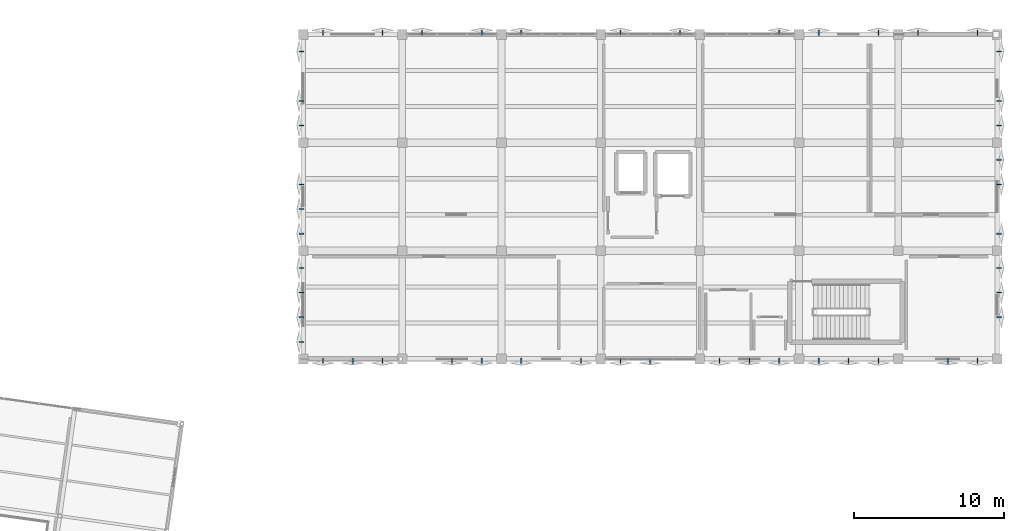
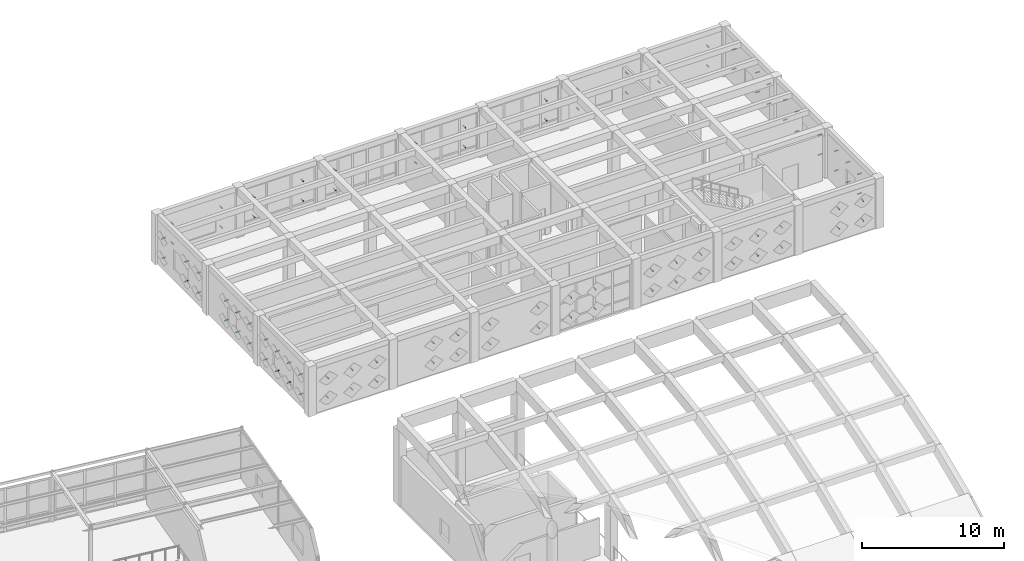
# One storey, part 63 of 67: 96 discrete accessories.
"""IFC4 building model written with IfcOpenShell, lengths in metres."""

from ifc_helpers import new_model, si_unit, direction, frame, origin, origin_2d, place, context, subcontext, project, spatial, hollow_rectangle, extrude, material, type_object, element, save


model = new_model("IFC4")

# Units and contexts
model_context = context("Model", 3, precision=1e-05, world=origin(), true_north=direction((0.0, 1.0)))
body_context = subcontext(model_context, "Body", "Model", "MODEL_VIEW")
ifc_project = project(units=[si_unit("LENGTHUNIT", "METRE"), si_unit("AREAUNIT", "SQUARE_METRE"), si_unit("VOLUMEUNIT", "CUBIC_METRE"), si_unit("PLANEANGLEUNIT", "RADIAN"), si_unit("MASSUNIT", "GRAM", prefix="KILO")], contexts=[model_context])

# Site, building, storey
site_placement = place(None, origin())
site = spatial("IfcSite", under=ifc_project, at=site_placement, CompositionType="ELEMENT")
building_placement = place(site_placement, origin())
building = spatial("IfcBuilding", under=site, at=building_placement, Name="Kharisveld Research Institute", CompositionType="ELEMENT")
storey_placement = place(building_placement, frame((0.0, 0.0, 9.60009765625)))
storey = spatial("IfcBuildingStorey", under=building, at=storey_placement, Name="L02", CompositionType="ELEMENT", Elevation=9.60009765625)

# Discrete accessories
ifc_material = material(Name="Steel S355JR", Category="steel")
discrete_accessory_type = type_object("IfcDiscreteAccessoryType", Name="BKT_ST_260", PredefinedType="BRACKET")
for number, where, z_axis, x_axis, name in (
    (1, (114.659912109375, 40.340087890625, 1.0498046875), (-1.0, 0.0, 0.0), (0.0, -1.0, 0.0), "BKT-SHD:V2:L02:W0:S0C0"),
    (2, (114.659912109375, 40.340087890625, 2.75), (-1.0, 0.0, 0.0), (0.0, -1.0, 0.0), "BKT-SHD:V2:L02:W0:S0C1"),
    (3, (114.659912109375, 41.97998046875, 1.0498046875), (-1.0, 0.0, 0.0), (0.0, -1.0, 0.0), "BKT-SHD:V2:L02:W0:S1C0"),
    (4, (114.659912109375, 41.97998046875, 2.75), (-1.0, 0.0, 0.0), (0.0, -1.0, 0.0), "BKT-SHD:V2:L02:W0:S1C1"),
    (5, (114.659912109375, 43.6201171875, 1.0498046875), (-1.0, 0.0, 0.0), (0.0, -1.0, 0.0), "BKT-SHD:V2:L02:W0:S2C0"),
    (6, (114.659912109375, 43.6201171875, 2.75), (-1.0, 0.0, 0.0), (0.0, -1.0, 0.0), "BKT-SHD:V2:L02:W0:S2C1"),
    (7, (114.659912109375, 45.260009765625, 1.0498046875), (-1.0, 0.0, 0.0), (0.0, -1.0, 0.0), "BKT-SHD:V2:L02:W0:S3C0"),
    (8, (114.659912109375, 45.260009765625, 2.75), (-1.0, 0.0, 0.0), (0.0, -1.0, 0.0), "BKT-SHD:V2:L02:W0:S3C1"),
    (9, (114.659912109375, 47.5400390625, 1.0498046875), (-1.0, 0.0, 0.0), (0.0, -1.0, 0.0), "BKT-SHD:V2:L02:W1:S0C0"),
    (10, (114.659912109375, 47.5400390625, 2.75), (-1.0, 0.0, 0.0), (0.0, -1.0, 0.0), "BKT-SHD:V2:L02:W1:S0C1"),
    (11, (114.659912109375, 49.179931640625, 1.0498046875), (-1.0, 0.0, 0.0), (0.0, -1.0, 0.0), "BKT-SHD:V2:L02:W1:S1C0"),
    (12, (114.659912109375, 49.179931640625, 2.75), (-1.0, 0.0, 0.0), (0.0, -1.0, 0.0), "BKT-SHD:V2:L02:W1:S1C1"),
    (13, (114.659912109375, 50.820068359375, 1.0498046875), (-1.0, 0.0, 0.0), (0.0, -1.0, 0.0), "BKT-SHD:V2:L02:W1:S2C0"),
    (14, (114.659912109375, 50.820068359375, 2.75), (-1.0, 0.0, 0.0), (0.0, -1.0, 0.0), "BKT-SHD:V2:L02:W1:S2C1"),
    (15, (114.659912109375, 54.739990234375, 1.0498046875), (-1.0, 0.0, 0.0), (0.0, -1.0, 0.0), "BKT-SHD:V2:L02:W2:S0C0"),
    (16, (114.659912109375, 54.739990234375, 2.75), (-1.0, 0.0, 0.0), (0.0, -1.0, 0.0), "BKT-SHD:V2:L02:W2:S0C1"),
    (17, (114.659912109375, 56.3798828125, 1.0498046875), (-1.0, 0.0, 0.0), (0.0, -1.0, 0.0), "BKT-SHD:V2:L02:W2:S1C0"),
    (18, (114.659912109375, 56.3798828125, 2.75), (-1.0, 0.0, 0.0), (0.0, -1.0, 0.0), "BKT-SHD:V2:L02:W2:S1C1"),
    (19, (114.659912109375, 59.659912109375, 1.0498046875), (-1.0, 0.0, 0.0), (0.0, -1.0, 0.0), "BKT-SHD:V2:L02:W2:S3C0"),
    (20, (114.659912109375, 59.659912109375, 2.75), (-1.0, 0.0, 0.0), (0.0, -1.0, 0.0), "BKT-SHD:V2:L02:W2:S3C1"),
):
    element("IfcDiscreteAccessory", number, at=place(storey_placement, frame(where, z_axis=z_axis, x_axis=x_axis)), inside=storey, type_object=discrete_accessory_type, material=ifc_material, Name=name, ObjectType="BRACKET", PredefinedType="BRACKET", context=body_context, shape_type="SweptSolid", body=[
        extrude(hollow_rectangle(XDim=0.080078125, YDim=0.080078125, WallThickness=0.0048828125, at=origin_2d()), origin(), (0.0, 0.0, 1.0), 0.349853515625),
    ])
for number, where, z_axis, x_axis, name in (
    (21, (115.913330078125, 60.739990234375, 1.0498046875), (0.0, 1.0, 0.0), (-1.0, 0.0, 0.0), "BKT-SHD:V2:L02:N0:S0C0"),
    (22, (115.913330078125, 60.739990234375, 2.75), (0.0, 1.0, 0.0), (-1.0, 0.0, 0.0), "BKT-SHD:V2:L02:N0:S0C1"),
    (23, (119.88671875, 60.739990234375, 1.0498046875), (0.0, 1.0, 0.0), (-1.0, 0.0, 0.0), "BKT-SHD:V2:L02:N0:S2C0"),
    (24, (119.88671875, 60.739990234375, 2.75), (0.0, 1.0, 0.0), (-1.0, 0.0, 0.0), "BKT-SHD:V2:L02:N0:S2C1"),
    (25, (122.513427734375, 60.739990234375, 1.0498046875), (0.0, 1.0, 0.0), (-1.0, 0.0, 0.0), "BKT-SHD:V2:L02:N1:S0C0"),
    (26, (122.513427734375, 60.739990234375, 2.75), (0.0, 1.0, 0.0), (-1.0, 0.0, 0.0), "BKT-SHD:V2:L02:N1:S0C1"),
    (27, (126.486572265625, 60.739990234375, 1.0498046875), (0.0, 1.0, 0.0), (-1.0, 0.0, 0.0), "BKT-SHD:V2:L02:N1:S2C0"),
    (28, (126.486572265625, 60.739990234375, 2.75), (0.0, 1.0, 0.0), (-1.0, 0.0, 0.0), "BKT-SHD:V2:L02:N1:S2C1"),
    (29, (129.11328125, 60.739990234375, 1.0498046875), (0.0, 1.0, 0.0), (-1.0, 0.0, 0.0), "BKT-SHD:V2:L02:N2:S0C0"),
    (30, (129.11328125, 60.739990234375, 2.75), (0.0, 1.0, 0.0), (-1.0, 0.0, 0.0), "BKT-SHD:V2:L02:N2:S0C1"),
    (31, (135.71337890625, 60.739990234375, 1.0498046875), (0.0, 1.0, 0.0), (-1.0, 0.0, 0.0), "BKT-SHD:V2:L02:N3:S0C0"),
    (32, (135.71337890625, 60.739990234375, 2.75), (0.0, 1.0, 0.0), (-1.0, 0.0, 0.0), "BKT-SHD:V2:L02:N3:S0C1"),
    (33, (139.686767578125, 60.739990234375, 1.0498046875), (0.0, 1.0, 0.0), (-1.0, 0.0, 0.0), "BKT-SHD:V2:L02:N3:S2C0"),
    (34, (139.686767578125, 60.739990234375, 2.75), (0.0, 1.0, 0.0), (-1.0, 0.0, 0.0), "BKT-SHD:V2:L02:N3:S2C1"),
    (35, (146.28662109375, 60.739990234375, 1.0498046875), (0.0, 1.0, 0.0), (-1.0, 0.0, 0.0), "BKT-SHD:V2:L02:N4:S2C0"),
    (36, (146.28662109375, 60.739990234375, 2.75), (0.0, 1.0, 0.0), (-1.0, 0.0, 0.0), "BKT-SHD:V2:L02:N4:S2C1"),
    (37, (148.913330078125, 60.739990234375, 1.0498046875), (0.0, 1.0, 0.0), (-1.0, 0.0, 0.0), "BKT-SHD:V2:L02:N5:S0C0"),
    (38, (148.913330078125, 60.739990234375, 2.75), (0.0, 1.0, 0.0), (-1.0, 0.0, 0.0), "BKT-SHD:V2:L02:N5:S0C1"),
    (39, (152.88671875, 60.739990234375, 1.0498046875), (0.0, 1.0, 0.0), (-1.0, 0.0, 0.0), "BKT-SHD:V2:L02:N5:S2C0"),
    (40, (152.88671875, 60.739990234375, 2.75), (0.0, 1.0, 0.0), (-1.0, 0.0, 0.0), "BKT-SHD:V2:L02:N5:S2C1"),
    (41, (155.513427734375, 60.739990234375, 1.0498046875), (0.0, 1.0, 0.0), (-1.0, 0.0, 0.0), "BKT-SHD:V2:L02:N6:S0C0"),
    (42, (155.513427734375, 60.739990234375, 2.75), (0.0, 1.0, 0.0), (-1.0, 0.0, 0.0), "BKT-SHD:V2:L02:N6:S0C1"),
    (43, (159.486572265625, 60.739990234375, 1.0498046875), (0.0, 1.0, 0.0), (-1.0, 0.0, 0.0), "BKT-SHD:V2:L02:N6:S2C0"),
    (44, (159.486572265625, 60.739990234375, 2.75), (0.0, 1.0, 0.0), (-1.0, 0.0, 0.0), "BKT-SHD:V2:L02:N6:S2C1"),
    (45, (160.739990234375, 59.659912109375, 1.0498046875), (1.0, 0.0, 0.0), (0.0, 1.0, 0.0), "BKT-SHD:V2:L02:E3:S0C0"),
    (46, (160.739990234375, 59.659912109375, 2.75), (1.0, 0.0, 0.0), (0.0, 1.0, 0.0), "BKT-SHD:V2:L02:E3:S0C1"),
    (47, (160.739990234375, 56.3798828125, 1.0498046875), (1.0, 0.0, 0.0), (0.0, 1.0, 0.0), "BKT-SHD:V2:L02:E3:S2C0"),
    (48, (160.739990234375, 56.3798828125, 2.75), (1.0, 0.0, 0.0), (0.0, 1.0, 0.0), "BKT-SHD:V2:L02:E3:S2C1"),
    (49, (160.739990234375, 54.739990234375, 1.0498046875), (1.0, 0.0, 0.0), (0.0, 1.0, 0.0), "BKT-SHD:V2:L02:E3:S3C0"),
    (50, (160.739990234375, 54.739990234375, 2.75), (1.0, 0.0, 0.0), (0.0, 1.0, 0.0), "BKT-SHD:V2:L02:E3:S3C1"),
    (51, (160.739990234375, 52.4599609375, 1.0498046875), (1.0, 0.0, 0.0), (0.0, 1.0, 0.0), "BKT-SHD:V2:L02:E2:S0C0"),
    (52, (160.739990234375, 52.4599609375, 2.75), (1.0, 0.0, 0.0), (0.0, 1.0, 0.0), "BKT-SHD:V2:L02:E2:S0C1"),
    (53, (160.739990234375, 50.820068359375, 1.0498046875), (1.0, 0.0, 0.0), (0.0, 1.0, 0.0), "BKT-SHD:V2:L02:E2:S1C0"),
    (54, (160.739990234375, 50.820068359375, 2.75), (1.0, 0.0, 0.0), (0.0, 1.0, 0.0), "BKT-SHD:V2:L02:E2:S1C1"),
    (55, (160.739990234375, 47.5400390625, 1.0498046875), (1.0, 0.0, 0.0), (0.0, 1.0, 0.0), "BKT-SHD:V2:L02:E2:S3C0"),
    (56, (160.739990234375, 47.5400390625, 2.75), (1.0, 0.0, 0.0), (0.0, 1.0, 0.0), "BKT-SHD:V2:L02:E2:S3C1"),
    (57, (160.739990234375, 45.260009765625, 1.0498046875), (1.0, 0.0, 0.0), (0.0, 1.0, 0.0), "BKT-SHD:V2:L02:E1:S0C0"),
    (58, (160.739990234375, 45.260009765625, 2.75), (1.0, 0.0, 0.0), (0.0, 1.0, 0.0), "BKT-SHD:V2:L02:E1:S0C1"),
    (59, (160.739990234375, 43.6201171875, 1.0498046875), (1.0, 0.0, 0.0), (0.0, 1.0, 0.0), "BKT-SHD:V2:L02:E1:S1C0"),
    (60, (160.739990234375, 43.6201171875, 2.75), (1.0, 0.0, 0.0), (0.0, 1.0, 0.0), "BKT-SHD:V2:L02:E1:S1C1"),
    (61, (160.739990234375, 41.97998046875, 1.0498046875), (1.0, 0.0, 0.0), (0.0, 1.0, 0.0), "BKT-SHD:V2:L02:E1:S2C0"),
    (62, (160.739990234375, 41.97998046875, 2.75), (1.0, 0.0, 0.0), (0.0, 1.0, 0.0), "BKT-SHD:V2:L02:E1:S2C1"),
    (63, (159.486572265625, 39.260009765625, 1.0498046875), (0.0, -1.0, 0.0), (1.0, 0.0, 0.0), "BKT-SHD:V2:L02:S7:S0C0"),
    (64, (159.486572265625, 39.260009765625, 2.75), (0.0, -1.0, 0.0), (1.0, 0.0, 0.0), "BKT-SHD:V2:L02:S7:S0C1"),
    (65, (157.5, 39.260009765625, 1.0498046875), (0.0, -1.0, 0.0), (1.0, 0.0, 0.0), "BKT-SHD:V2:L02:S7:S1C0"),
    (66, (157.5, 39.260009765625, 2.75), (0.0, -1.0, 0.0), (1.0, 0.0, 0.0), "BKT-SHD:V2:L02:S7:S1C1"),
    (67, (152.88671875, 39.260009765625, 1.0498046875), (0.0, -1.0, 0.0), (1.0, 0.0, 0.0), "BKT-SHD:V2:L02:S6:S0C0"),
    (68, (152.88671875, 39.260009765625, 2.75), (0.0, -1.0, 0.0), (1.0, 0.0, 0.0), "BKT-SHD:V2:L02:S6:S0C1"),
    (69, (150.89990234375, 39.260009765625, 1.0498046875), (0.0, -1.0, 0.0), (1.0, 0.0, 0.0), "BKT-SHD:V2:L02:S6:S1C0"),
    (70, (150.89990234375, 39.260009765625, 2.75), (0.0, -1.0, 0.0), (1.0, 0.0, 0.0), "BKT-SHD:V2:L02:S6:S1C1"),
    (71, (148.913330078125, 39.260009765625, 1.0498046875), (0.0, -1.0, 0.0), (1.0, 0.0, 0.0), "BKT-SHD:V2:L02:S6:S2C0"),
    (72, (148.913330078125, 39.260009765625, 2.75), (0.0, -1.0, 0.0), (1.0, 0.0, 0.0), "BKT-SHD:V2:L02:S6:S2C1"),
    (73, (146.28662109375, 39.260009765625, 1.0498046875), (0.0, -1.0, 0.0), (1.0, 0.0, 0.0), "BKT-SHD:V2:L02:S5:S0C0"),
    (74, (146.28662109375, 39.260009765625, 2.75), (0.0, -1.0, 0.0), (1.0, 0.0, 0.0), "BKT-SHD:V2:L02:S5:S0C1"),
    (75, (144.300048828125, 39.260009765625, 1.0498046875), (0.0, -1.0, 0.0), (1.0, 0.0, 0.0), "BKT-SHD:V2:L02:S5:S1C0"),
    (76, (144.300048828125, 39.260009765625, 2.75), (0.0, -1.0, 0.0), (1.0, 0.0, 0.0), "BKT-SHD:V2:L02:S5:S1C1"),
    (77, (142.313232421875, 39.260009765625, 1.0498046875), (0.0, -1.0, 0.0), (1.0, 0.0, 0.0), "BKT-SHD:V2:L02:S5:S2C0"),
    (78, (142.313232421875, 39.260009765625, 2.75), (0.0, -1.0, 0.0), (1.0, 0.0, 0.0), "BKT-SHD:V2:L02:S5:S2C1"),
    (79, (137.699951171875, 39.260009765625, 1.0498046875), (0.0, -1.0, 0.0), (1.0, 0.0, 0.0), "BKT-SHD:V2:L02:S4:S1C0"),
    (80, (137.699951171875, 39.260009765625, 2.75), (0.0, -1.0, 0.0), (1.0, 0.0, 0.0), "BKT-SHD:V2:L02:S4:S1C1"),
    (81, (135.71337890625, 39.260009765625, 1.0498046875), (0.0, -1.0, 0.0), (1.0, 0.0, 0.0), "BKT-SHD:V2:L02:S4:S2C0"),
    (82, (135.71337890625, 39.260009765625, 2.75), (0.0, -1.0, 0.0), (1.0, 0.0, 0.0), "BKT-SHD:V2:L02:S4:S2C1"),
    (83, (133.086669921875, 39.260009765625, 1.0498046875), (0.0, -1.0, 0.0), (1.0, 0.0, 0.0), "BKT-SHD:V2:L02:S3:S0C0"),
    (84, (133.086669921875, 39.260009765625, 2.75), (0.0, -1.0, 0.0), (1.0, 0.0, 0.0), "BKT-SHD:V2:L02:S3:S0C1"),
    (85, (129.11328125, 39.260009765625, 1.0498046875), (0.0, -1.0, 0.0), (1.0, 0.0, 0.0), "BKT-SHD:V2:L02:S3:S2C0"),
    (86, (129.11328125, 39.260009765625, 2.75), (0.0, -1.0, 0.0), (1.0, 0.0, 0.0), "BKT-SHD:V2:L02:S3:S2C1"),
    (87, (126.486572265625, 39.260009765625, 1.0498046875), (0.0, -1.0, 0.0), (1.0, 0.0, 0.0), "BKT-SHD:V2:L02:S2:S0C0"),
    (88, (126.486572265625, 39.260009765625, 2.75), (0.0, -1.0, 0.0), (1.0, 0.0, 0.0), "BKT-SHD:V2:L02:S2:S0C1"),
    (89, (124.5, 39.260009765625, 1.0498046875), (0.0, -1.0, 0.0), (1.0, 0.0, 0.0), "BKT-SHD:V2:L02:S2:S1C0"),
    (90, (124.5, 39.260009765625, 2.75), (0.0, -1.0, 0.0), (1.0, 0.0, 0.0), "BKT-SHD:V2:L02:S2:S1C1"),
    (91, (119.88671875, 39.260009765625, 1.0498046875), (0.0, -1.0, 0.0), (1.0, 0.0, 0.0), "BKT-SHD:V2:L02:S1:S0C0"),
    (92, (119.88671875, 39.260009765625, 2.75), (0.0, -1.0, 0.0), (1.0, 0.0, 0.0), "BKT-SHD:V2:L02:S1:S0C1"),
    (93, (117.89990234375, 39.260009765625, 1.0498046875), (0.0, -1.0, 0.0), (1.0, 0.0, 0.0), "BKT-SHD:V2:L02:S1:S1C0"),
    (94, (117.89990234375, 39.260009765625, 2.75), (0.0, -1.0, 0.0), (1.0, 0.0, 0.0), "BKT-SHD:V2:L02:S1:S1C1"),
    (95, (115.913330078125, 39.260009765625, 1.0498046875), (0.0, -1.0, 0.0), (1.0, 0.0, 0.0), "BKT-SHD:V2:L02:S1:S2C0"),
    (96, (115.913330078125, 39.260009765625, 2.75), (0.0, -1.0, 0.0), (1.0, 0.0, 0.0), "BKT-SHD:V2:L02:S1:S2C1"),
):
    element("IfcDiscreteAccessory", number, at=place(storey_placement, frame(where, z_axis=z_axis, x_axis=x_axis)), inside=storey, type_object=discrete_accessory_type, material=ifc_material, Name=name, ObjectType="BRACKET", PredefinedType="BRACKET", context=body_context, shape_type="SweptSolid", body=[
        extrude(hollow_rectangle(XDim=0.080078125, YDim=0.080078125, WallThickness=0.0048828125, at=origin_2d()), origin(), (0.0, 0.0, 1.0), 0.35009765625),
    ])

save(model, "model.ifc")
